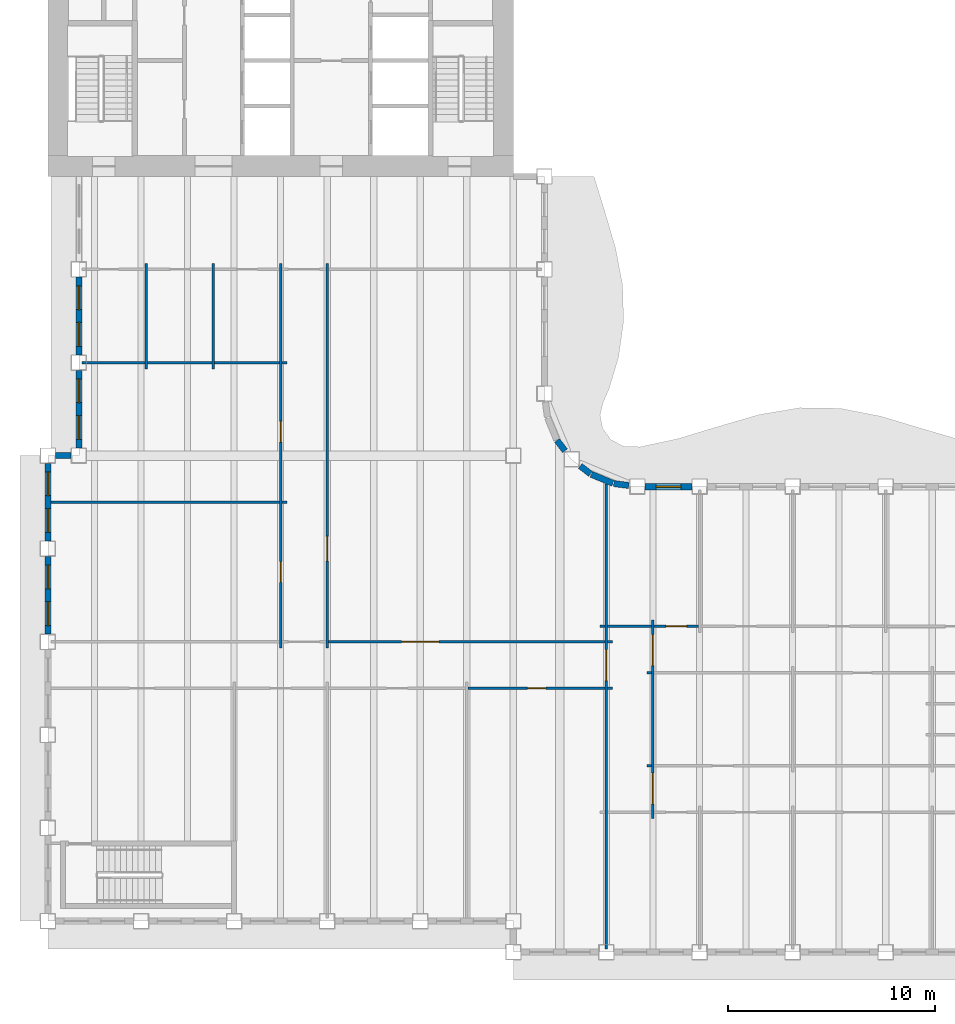
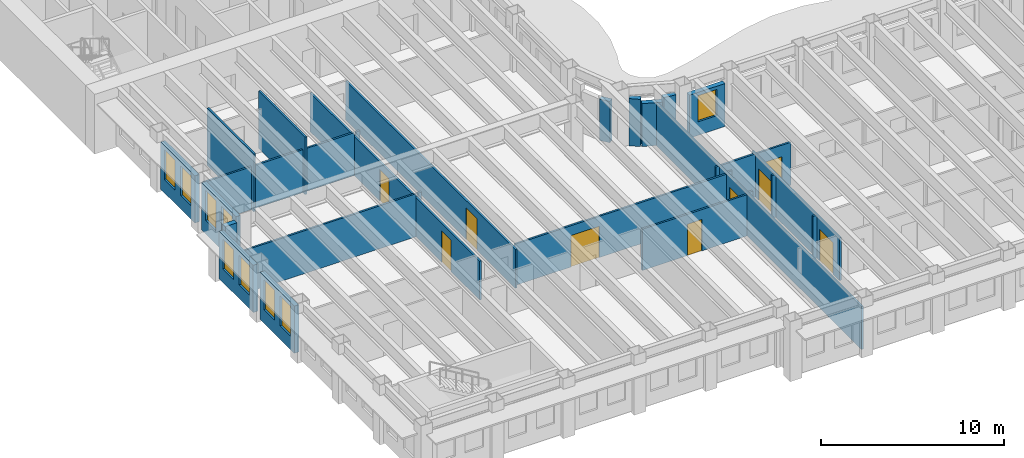
# One storey, part 4 of 16: 31 walls, 9 doors, 9 windows, 18 openings.
"""IFC4 building model written with IfcOpenShell, lengths in metres."""

from ifc_helpers import new_model, si_unit, direction, frame, frame_2d, origin, place, context, subcontext, project, spatial, rectangle, extrude, material, layer, layer_set, type_object, element, fill, save


model = new_model("IFC4")

# Units and contexts
model_context = context("Model", 3, precision=1e-05, world=origin(), true_north=direction((0.0, 1.0)))
body_context = subcontext(model_context, "Body", "Model", "MODEL_VIEW")
ifc_project = project(units=[si_unit("LENGTHUNIT", "METRE"), si_unit("AREAUNIT", "SQUARE_METRE"), si_unit("VOLUMEUNIT", "CUBIC_METRE"), si_unit("PLANEANGLEUNIT", "RADIAN"), si_unit("MASSUNIT", "GRAM", prefix="KILO")], contexts=[model_context])

# Site, building, storey
site_placement = place(None, origin())
site = spatial("IfcSite", under=ifc_project, at=site_placement, CompositionType="ELEMENT")
building_placement = place(site_placement, origin())
building = spatial("IfcBuilding", under=site, at=building_placement, Name="Sennacour Bend Tower", CompositionType="ELEMENT")
storey_placement = place(building_placement, frame((0.0, 0.0, 207.0)))
storey = spatial("IfcBuildingStorey", under=building, at=storey_placement, Name="L47", CompositionType="ELEMENT", Elevation=207.0)

# Walls
ifc_material_1 = material(Name="Plasterboard partition on steel studs", Category="steel")
ifc_layer_1 = layer(ifc_material_1, 0.1201171875, Name="Plasterboard partition on steel studs", Category="steel")
ifc_layer_set_1 = layer_set([ifc_layer_1], Name="Plasterboard partition on steel studs")
wall_type_1 = type_object("IfcWallType", Name="Partition 120", PredefinedType="PARTITIONING", material=ifc_layer_set_1)
for number, where, z_axis, x_axis, name in (
    (1, (4.75, 26.699951171875, 0.0), (0.0, 0.0, 1.0), (0.0, 1.0, 0.0), "P-L47-W007a"),
    (2, (8.0, 26.699951171875, 0.0), (0.0, 0.0, 1.0), (0.0, 1.0, 0.0), "P-L47-W009a"),
):
    element("IfcWall", number, at=place(storey_placement, frame(where, z_axis=z_axis, x_axis=x_axis)), inside=storey, type_object=wall_type_1, Name=name, PredefinedType="PARTITIONING", context=body_context, shape_type="SweptSolid", body=[
        extrude(rectangle(XDim=5.10009765625, YDim=0.1201171875, at=frame_2d((2.550048828125, 0.0))), origin(), (0.0, 0.0, 1.0), 3.85009765625),
    ])

# Wall, openings, doors
wall_1_placement = place(storey_placement, frame((11.25, 13.199951171875, 0.0), z_axis=(0.0, 0.0, 1.0), x_axis=(0.0, 1.0, 0.0)))
wall_1 = element("IfcWall", 3, at=wall_1_placement, inside=storey, type_object=wall_type_1, Name="P-L47-W015a", PredefinedType="PARTITIONING", context=body_context, shape_type="SweptSolid", body=[
    extrude(rectangle(XDim=18.60009765625, YDim=0.1201171875, at=frame_2d((9.300048828125, 0.0))), origin(), (0.0, 0.0, 1.0), 2.60009765625),
])
opening_1_placement = place(wall_1_placement, frame((3.175048828125, 0.0, 0.0)))
opening_1 = element("IfcOpeningElement", 4, at=opening_1_placement, cuts=wall_1, Name="Opening OD2", PredefinedType="OPENING", context=body_context, shape_type="SweptSolid", body=[
    extrude(rectangle(XDim=1.0, YDim=2.10009765625, at=frame_2d((0.5, 1.050048828125))), frame((0.0, 0.070068359375, 0.0), z_axis=(0.0, -1.0, 0.0), x_axis=(1.0, 0.0, 0.0)), (0.0, 0.0, 1.0), 0.14013671875),
])
opening_2_placement = place(wall_1_placement, frame((9.955078125, 0.0, 0.0)))
opening_2 = element("IfcOpeningElement", 5, at=opening_2_placement, cuts=wall_1, Name="Opening OD2", PredefinedType="OPENING", context=body_context, shape_type="SweptSolid", body=[
    extrude(rectangle(XDim=1.0, YDim=2.10009765625, at=frame_2d((0.5, 1.050048828125))), frame((0.0, 0.070068359375, 0.0), z_axis=(0.0, -1.0, 0.0), x_axis=(1.0, 0.0, 0.0)), (0.0, 0.0, 1.0), 0.14013671875),
])
ifc_material_2 = material(Name="Timber", Category="wood")
door_type_1 = type_object("IfcDoorType", Name="DR-OFFICE-1000", OperationType="NOTDEFINED", PredefinedType="DOOR", material=ifc_material_2)
door_1_placement = place(opening_1_placement, origin())
door_1 = element("IfcDoor", 6, at=door_1_placement, inside=storey, type_object=door_type_1, Name="Door", OperationType="SINGLE_SWING_LEFT", OverallHeight=2.10009765625, OverallWidth=1.0, PredefinedType="DOOR", context=body_context, shape_type="SweptSolid", body=[
    extrude(rectangle(XDim=1.0, YDim=2.10009765625, at=frame_2d((0.5, 1.050048828125))), frame((0.0, 0.02490234375, 0.0), z_axis=(0.0, -1.0, 0.0), x_axis=(1.0, 0.0, 0.0)), (0.0, 0.0, 1.0), 0.050048828125),
])
fill(opening_1, door_1)
door_2_placement = place(opening_2_placement, origin())
door_2 = element("IfcDoor", 7, at=door_2_placement, inside=storey, type_object=door_type_1, Name="Door", OperationType="SINGLE_SWING_RIGHT", OverallHeight=2.10009765625, OverallWidth=1.0, PredefinedType="DOOR", context=body_context, shape_type="SweptSolid", body=[
    extrude(rectangle(XDim=1.0, YDim=2.10009765625, at=frame_2d((0.5, 1.050048828125))), frame((0.0, 0.02490234375, 0.0), z_axis=(0.0, -1.0, 0.0), x_axis=(1.0, 0.0, 0.0)), (0.0, 0.0, 1.0), 0.050048828125),
])
fill(opening_2, door_2)

# Wall, opening, door
wall_2_placement = place(storey_placement, frame((13.5, 13.199951171875, 0.0), z_axis=(0.0, 0.0, 1.0), x_axis=(0.0, 1.0, 0.0)))
wall_2 = element("IfcWall", 8, at=wall_2_placement, inside=storey, type_object=wall_type_1, Name="P-L47-W019a", PredefinedType="PARTITIONING", context=body_context, shape_type="SweptSolid", body=[
    extrude(rectangle(XDim=18.60009765625, YDim=0.1201171875, at=frame_2d((9.300048828125, 0.0))), origin(), (0.0, 0.0, 1.0), 2.60009765625),
])
opening_3_placement = place(wall_2_placement, frame((4.199951171875, 0.0, 0.0)))
opening_3 = element("IfcOpeningElement", 9, at=opening_3_placement, cuts=wall_2, Name="Opening OD", PredefinedType="OPENING", context=body_context, shape_type="SweptSolid", body=[
    extrude(rectangle(XDim=1.199951171875, YDim=2.10009765625, at=frame_2d((0.60009765625, 1.050048828125))), frame((0.0, 0.070068359375, 0.0), z_axis=(0.0, -1.0, 0.0), x_axis=(1.0, 0.0, 0.0)), (0.0, 0.0, 1.0), 0.14013671875),
])
door_type_2 = type_object("IfcDoorType", Name="DR-OFFICE-1200", OperationType="NOTDEFINED", PredefinedType="DOOR", material=ifc_material_2)
door_3_placement = place(opening_3_placement, origin())
door_3 = element("IfcDoor", 10, at=door_3_placement, inside=storey, type_object=door_type_2, Name="Door", OperationType="SINGLE_SWING_LEFT", OverallHeight=2.10009765625, OverallWidth=1.199951171875, PredefinedType="DOOR", context=body_context, shape_type="SweptSolid", body=[
    extrude(rectangle(XDim=1.199951171875, YDim=2.10009765625, at=frame_2d((0.60009765625, 1.050048828125))), frame((0.0, 0.02490234375, 0.0), z_axis=(0.0, -1.0, 0.0), x_axis=(1.0, 0.0, 0.0)), (0.0, 0.0, 1.0), 0.050048828125),
])
fill(opening_3, door_3)

# Walls
for number, where, z_axis, x_axis, name in (
    (11, (28.949951171875, 7.5, 0.0), (0.0, 0.0, 1.0), (1.0, 0.0, 0.0), "P-L47-W061aa"),
    (12, (27.06005859375, 11.25, 0.0), (0.0, 0.0, 1.0), (1.0, 0.0, 0.0), "P-L47-W066ae"),
    (13, (28.949951171875, 12.0, 0.0), (0.0, 0.0, 1.0), (1.0, 0.0, 0.0), "P-L47-W069aa"),
):
    element("IfcWall", number, at=place(storey_placement, frame(where, z_axis=z_axis, x_axis=x_axis)), inside=storey, type_object=wall_type_1, Name=name, PredefinedType="PARTITIONING", context=body_context, shape_type="SweptSolid", body=[
        extrude(rectangle(XDim=0.239990234375, YDim=0.1201171875, at=frame_2d((0.1201171875, 0.0))), origin(), (0.0, 0.0, 1.0), 2.8701171875),
    ])

# Wall, opening, door
wall_3_placement = place(storey_placement, frame((13.56005859375, 13.5, 0.0), z_axis=(0.0, 0.0, 1.0), x_axis=(1.0, 0.0, 0.0)))
wall_3 = element("IfcWall", 14, at=wall_3_placement, inside=storey, type_object=wall_type_1, Name="P-L47-W070ac", PredefinedType="PARTITIONING", context=body_context, shape_type="SweptSolid", body=[
    extrude(rectangle(XDim=13.3798828125, YDim=0.1201171875, at=frame_2d((6.68994140625, 0.0))), origin(), (0.0, 0.0, 1.0), 2.760009765625),
])
opening_4_placement = place(wall_3_placement, frame((3.539794921875, 0.0, 0.0)))
opening_4 = element("IfcOpeningElement", 15, at=opening_4_placement, cuts=wall_3, Name="Opening OD3", PredefinedType="OPENING", context=body_context, shape_type="SweptSolid", body=[
    extrude(rectangle(XDim=1.800048828125, YDim=2.10009765625, at=frame_2d((0.89990234375, 1.050048828125))), frame((0.0, 0.070068359375, 0.0), z_axis=(0.0, -1.0, 0.0), x_axis=(1.0, 0.0, 0.0)), (0.0, 0.0, 1.0), 0.14013671875),
])
door_type_3 = type_object("IfcDoorType", Name="DR-OFFICE-1800", OperationType="NOTDEFINED", PredefinedType="DOOR", material=ifc_material_2)
door_4_placement = place(opening_4_placement, origin())
door_4 = element("IfcDoor", 16, at=door_4_placement, inside=storey, type_object=door_type_3, Name="Door", OperationType="DOUBLE_DOOR_SINGLE_SWING", OverallHeight=2.10009765625, OverallWidth=1.800048828125, PredefinedType="DOOR", context=body_context, shape_type="SweptSolid", body=[
    extrude(rectangle(XDim=1.800048828125, YDim=2.10009765625, at=frame_2d((0.89990234375, 1.050048828125))), frame((0.0, 0.02490234375, 0.0), z_axis=(0.0, -1.0, 0.0), x_axis=(1.0, 0.0, 0.0)), (0.0, 0.0, 1.0), 0.050048828125),
])
fill(opening_4, door_4)

# Walls
for number, where, z_axis, x_axis, name in (
    (17, (27.06005859375, 13.5, 0.0), (0.0, 0.0, 1.0), (1.0, 0.0, 0.0), "P-L47-W070ad"),
    (18, (26.699951171875, 14.25, 0.0), (0.0, 0.0, 1.0), (1.0, 0.0, 0.0), "P-L47-W071aa"),
):
    element("IfcWall", number, at=place(storey_placement, frame(where, z_axis=z_axis, x_axis=x_axis)), inside=storey, type_object=wall_type_1, Name=name, PredefinedType="PARTITIONING", context=body_context, shape_type="SweptSolid", body=[
        extrude(rectangle(XDim=0.239990234375, YDim=0.1201171875, at=frame_2d((0.1201171875, 0.0))), origin(), (0.0, 0.0, 1.0), 2.8701171875),
    ])
wall_4_placement = place(storey_placement, frame((27.06005859375, 14.25, 0.0), z_axis=(0.0, 0.0, 1.0), x_axis=(1.0, 0.0, 0.0)))
element("IfcWall", 19, at=wall_4_placement, inside=storey, type_object=wall_type_1, Name="P-L47-W071ab", PredefinedType="PARTITIONING", context=body_context, shape_type="SweptSolid", body=[
    extrude(rectangle(XDim=2.1298828125, YDim=0.1201171875, at=frame_2d((1.06494140625, 0.0))), origin(), (0.0, 0.0, 1.0), 2.8701171875),
])

# Wall, opening, door
wall_5_placement = place(storey_placement, frame((29.31005859375, 14.25, 0.0), z_axis=(0.0, 0.0, 1.0), x_axis=(1.0, 0.0, 0.0)))
wall_5 = element("IfcWall", 20, at=wall_5_placement, inside=storey, type_object=wall_type_1, Name="P-L47-W071ac", PredefinedType="PARTITIONING", context=body_context, shape_type="SweptSolid", body=[
    extrude(rectangle(XDim=2.1298828125, YDim=0.1201171875, at=frame_2d((1.06494140625, 0.0))), origin(), (0.0, 0.0, 1.0), 2.8701171875),
])
opening_5_placement = place(wall_5_placement, frame((0.56494140625, 0.0, 0.0)))
opening_5 = element("IfcOpeningElement", 21, at=opening_5_placement, cuts=wall_5, Name="Opening OD2", PredefinedType="OPENING", context=body_context, shape_type="SweptSolid", body=[
    extrude(rectangle(XDim=1.0, YDim=2.10009765625, at=frame_2d((0.5, 1.050048828125))), frame((0.0, 0.070068359375, 0.0), z_axis=(0.0, -1.0, 0.0), x_axis=(1.0, 0.0, 0.0)), (0.0, 0.0, 1.0), 0.14013671875),
])
door_5_placement = place(opening_5_placement, origin())
door_5 = element("IfcDoor", 22, at=door_5_placement, inside=storey, type_object=door_type_1, Name="Door", OperationType="SINGLE_SWING_LEFT", OverallHeight=2.10009765625, OverallWidth=1.0, PredefinedType="DOOR", context=body_context, shape_type="SweptSolid", body=[
    extrude(rectangle(XDim=1.0, YDim=2.10009765625, at=frame_2d((0.5, 1.050048828125))), frame((0.0, 0.02490234375, 0.0), z_axis=(0.0, -1.0, 0.0), x_axis=(1.0, 0.0, 0.0)), (0.0, 0.0, 1.0), 0.050048828125),
])
fill(opening_5, door_5)

# Walls
wall_6_placement = place(storey_placement, frame((0.14990234375, 20.25, 0.0), z_axis=(0.0, 0.0, 1.0), x_axis=(1.0, 0.0, 0.0)))
element("IfcWall", 23, at=wall_6_placement, inside=storey, type_object=wall_type_1, Name="P-L47-W077aa", PredefinedType="PARTITIONING", context=body_context, shape_type="SweptSolid", body=[
    extrude(rectangle(XDim=11.0400390625, YDim=0.1201171875, at=frame_2d((5.52001953125, 0.0))), origin(), (0.0, 0.0, 1.0), 2.8701171875),
])
wall_7_placement = place(storey_placement, frame((11.31005859375, 20.25, 0.0), z_axis=(0.0, 0.0, 1.0), x_axis=(1.0, 0.0, 0.0)))
element("IfcWall", 24, at=wall_7_placement, inside=storey, type_object=wall_type_1, Name="P-L47-W077ab", PredefinedType="PARTITIONING", context=body_context, shape_type="SweptSolid", body=[
    extrude(rectangle(XDim=0.239990234375, YDim=0.1201171875, at=frame_2d((0.1201171875, 0.0))), origin(), (0.0, 0.0, 1.0), 2.8701171875),
])
wall_8_placement = place(storey_placement, frame((1.64990234375, 27.0, 0.0), z_axis=(0.0, 0.0, 1.0), x_axis=(1.0, 0.0, 0.0)))
element("IfcWall", 25, at=wall_8_placement, inside=storey, type_object=wall_type_1, Name="P-L47-W080aa", PredefinedType="PARTITIONING", context=body_context, shape_type="SweptSolid", body=[
    extrude(rectangle(XDim=3.0400390625, YDim=0.1201171875, at=frame_2d((1.52001953125, 0.0))), origin(), (0.0, 0.0, 1.0), 2.8701171875),
])
for number, where, z_axis, x_axis, name in (
    (26, (4.81005859375, 27.0, 0.0), (0.0, 0.0, 1.0), (1.0, 0.0, 0.0), "P-L47-W080ab"),
    (27, (8.06005859375, 27.0, 0.0), (0.0, 0.0, 1.0), (1.0, 0.0, 0.0), "P-L47-W080ac"),
):
    element("IfcWall", number, at=place(storey_placement, frame(where, z_axis=z_axis, x_axis=x_axis)), inside=storey, type_object=wall_type_1, Name=name, PredefinedType="PARTITIONING", context=body_context, shape_type="SweptSolid", body=[
        extrude(rectangle(XDim=3.1298828125, YDim=0.1201171875, at=frame_2d((1.56494140625, 0.0))), origin(), (0.0, 0.0, 1.0), 2.8701171875),
    ])
wall_9_placement = place(storey_placement, frame((11.31005859375, 27.0, 0.0), z_axis=(0.0, 0.0, 1.0), x_axis=(1.0, 0.0, 0.0)))
element("IfcWall", 28, at=wall_9_placement, inside=storey, type_object=wall_type_1, Name="P-L47-W080ad", PredefinedType="PARTITIONING", context=body_context, shape_type="SweptSolid", body=[
    extrude(rectangle(XDim=0.239990234375, YDim=0.1201171875, at=frame_2d((0.1201171875, 0.0))), origin(), (0.0, 0.0, 1.0), 2.8701171875),
])

# Wall, opening, door
ifc_layer_2 = layer(ifc_material_1, 0.1201171875, Name="Plasterboard partition on steel studs", Category="steel")
ifc_layer_set_2 = layer_set([ifc_layer_2], Name="Plasterboard partition on steel studs")
wall_type_2 = type_object("IfcWallType", Name="Partition 120 EI 30", PredefinedType="PARTITIONING", material=ifc_layer_set_2)
wall_10_placement = place(storey_placement, frame((27.0, -1.35009765625, 0.0), z_axis=(0.0, 0.0, 1.0), x_axis=(0.0, 1.0, 0.0)))
wall_10 = element("IfcWall", 29, at=wall_10_placement, inside=storey, type_object=wall_type_2, Name="P-L47-W027a", PredefinedType="PARTITIONING", context=body_context, shape_type="SweptSolid", body=[
    extrude(rectangle(XDim=22.47998046875, YDim=0.1201171875, at=frame_2d((11.239990234375, 0.0))), origin(), (0.0, 0.0, 1.0), 2.8701171875),
])
opening_6_placement = place(wall_10_placement, frame((12.97509765625, 0.0, 0.0)))
opening_6 = element("IfcOpeningElement", 30, at=opening_6_placement, cuts=wall_10, Name="Opening KD", PredefinedType="OPENING", context=body_context, shape_type="SweptSolid", body=[
    extrude(rectangle(XDim=1.5, YDim=2.10009765625, at=frame_2d((0.75, 1.050048828125))), frame((0.0, 0.070068359375, 0.0), z_axis=(0.0, -1.0, 0.0), x_axis=(1.0, 0.0, 0.0)), (0.0, 0.0, 1.0), 0.14013671875),
])
ifc_material_3 = material(Name="Painted steel", Category="steel")
door_type_4 = type_object("IfcDoorType", Name="DR-CORRIDOR-1500", OperationType="NOTDEFINED", PredefinedType="DOOR", material=ifc_material_3)
door_6_placement = place(opening_6_placement, origin())
door_6 = element("IfcDoor", 31, at=door_6_placement, inside=storey, type_object=door_type_4, Name="Door", OperationType="SINGLE_SWING_RIGHT", OverallHeight=2.10009765625, OverallWidth=1.5, PredefinedType="DOOR", context=body_context, shape_type="SweptSolid", body=[
    extrude(rectangle(XDim=1.5, YDim=2.10009765625, at=frame_2d((0.75, 1.050048828125))), frame((0.0, 0.02490234375, 0.0), z_axis=(0.0, -1.0, 0.0), x_axis=(1.0, 0.0, 0.0)), (0.0, 0.0, 1.0), 0.050048828125),
])
fill(opening_6, door_6)

# Wall, openings, doors
wall_11_placement = place(storey_placement, frame((29.25, 4.949951171875, 0.0), z_axis=(0.0, 0.0, 1.0), x_axis=(0.0, 1.0, 0.0)))
wall_11 = element("IfcWall", 32, at=wall_11_placement, inside=storey, type_object=wall_type_2, Name="P-L47-W028a", PredefinedType="PARTITIONING", context=body_context, shape_type="SweptSolid", body=[
    extrude(rectangle(XDim=9.60009765625, YDim=0.1201171875, at=frame_2d((4.800048828125, 0.0))), origin(), (0.0, 0.0, 1.0), 2.8701171875),
])
opening_7_placement = place(wall_11_placement, frame((0.705078125, 0.0, 0.0)))
opening_7 = element("IfcOpeningElement", 33, at=opening_7_placement, cuts=wall_11, Name="Opening KD", PredefinedType="OPENING", context=body_context, shape_type="SweptSolid", body=[
    extrude(rectangle(XDim=1.5, YDim=2.10009765625, at=frame_2d((0.75, 1.050048828125))), frame((0.0, 0.070068359375, 0.0), z_axis=(0.0, -1.0, 0.0), x_axis=(1.0, 0.0, 0.0)), (0.0, 0.0, 1.0), 0.14013671875),
])
opening_8_placement = place(wall_11_placement, frame((7.39501953125, 0.0, 0.0)))
opening_8 = element("IfcOpeningElement", 34, at=opening_8_placement, cuts=wall_11, Name="Opening KD", PredefinedType="OPENING", context=body_context, shape_type="SweptSolid", body=[
    extrude(rectangle(XDim=1.5, YDim=2.10009765625, at=frame_2d((0.75, 1.050048828125))), frame((0.0, 0.070068359375, 0.0), z_axis=(0.0, -1.0, 0.0), x_axis=(1.0, 0.0, 0.0)), (0.0, 0.0, 1.0), 0.14013671875),
])
door_7_placement = place(opening_7_placement, origin())
door_7 = element("IfcDoor", 35, at=door_7_placement, inside=storey, type_object=door_type_4, Name="Door", OperationType="SINGLE_SWING_LEFT", OverallHeight=2.10009765625, OverallWidth=1.5, PredefinedType="DOOR", context=body_context, shape_type="SweptSolid", body=[
    extrude(rectangle(XDim=1.5, YDim=2.10009765625, at=frame_2d((0.75, 1.050048828125))), frame((0.0, 0.02490234375, 0.0), z_axis=(0.0, -1.0, 0.0), x_axis=(1.0, 0.0, 0.0)), (0.0, 0.0, 1.0), 0.050048828125),
])
fill(opening_7, door_7)
door_8_placement = place(opening_8_placement, origin())
door_8 = element("IfcDoor", 36, at=door_8_placement, inside=storey, type_object=door_type_4, Name="Door", OperationType="SINGLE_SWING_RIGHT", OverallHeight=2.10009765625, OverallWidth=1.5, PredefinedType="DOOR", context=body_context, shape_type="SweptSolid", body=[
    extrude(rectangle(XDim=1.5, YDim=2.10009765625, at=frame_2d((0.75, 1.050048828125))), frame((0.0, 0.02490234375, 0.0), z_axis=(0.0, -1.0, 0.0), x_axis=(1.0, 0.0, 0.0)), (0.0, 0.0, 1.0), 0.050048828125),
])
fill(opening_8, door_8)

# Wall, opening, door
ifc_layer_3 = layer(ifc_material_1, 0.1201171875, Name="Plasterboard partition on steel studs", Category="steel")
ifc_layer_set_3 = layer_set([ifc_layer_3], Name="Plasterboard partition on steel studs")
wall_type_3 = type_object("IfcWallType", Name="Partition 120 EI 60", PredefinedType="PARTITIONING", material=ifc_layer_set_3)
wall_12_placement = place(storey_placement, frame((20.31005859375, 11.25, 0.0), z_axis=(0.0, 0.0, 1.0), x_axis=(1.0, 0.0, 0.0)))
wall_12 = element("IfcWall", 37, at=wall_12_placement, inside=storey, type_object=wall_type_3, Name="P-L47-W066ad", PredefinedType="PARTITIONING", context=body_context, shape_type="SweptSolid", body=[
    extrude(rectangle(XDim=6.6298828125, YDim=0.1201171875, at=frame_2d((3.31494140625, 0.0))), origin(), (0.0, 0.0, 1.0), 2.760009765625),
])
opening_9_placement = place(wall_12_placement, frame((2.864990234375, 0.0, 0.0)))
opening_9 = element("IfcOpeningElement", 38, at=opening_9_placement, cuts=wall_12, Name="Opening SV", PredefinedType="OPENING", context=body_context, shape_type="SweptSolid", body=[
    extrude(rectangle(XDim=0.89990234375, YDim=2.10009765625, at=frame_2d((0.449951171875, 1.050048828125))), frame((0.0, 0.070068359375, 0.0), z_axis=(0.0, -1.0, 0.0), x_axis=(1.0, 0.0, 0.0)), (0.0, 0.0, 1.0), 0.14013671875),
])
door_type_5 = type_object("IfcDoorType", Name="DR-SERVICE-900", OperationType="NOTDEFINED", PredefinedType="DOOR", material=ifc_material_3)
door_9_placement = place(opening_9_placement, origin())
door_9 = element("IfcDoor", 39, at=door_9_placement, inside=storey, type_object=door_type_5, Name="Door", OperationType="SINGLE_SWING_LEFT", OverallHeight=2.10009765625, OverallWidth=0.89990234375, PredefinedType="DOOR", context=body_context, shape_type="SweptSolid", body=[
    extrude(rectangle(XDim=0.89990234375, YDim=2.10009765625, at=frame_2d((0.449951171875, 1.050048828125))), frame((0.0, 0.02490234375, 0.0), z_axis=(0.0, -1.0, 0.0), x_axis=(1.0, 0.0, 0.0)), (0.0, 0.0, 1.0), 0.050048828125),
])
fill(opening_9, door_9)

# Wall, opening, window
ifc_material_4 = material(Name="Warm limestone cladding", Category="masonry")
ifc_layer_4 = layer(ifc_material_4, 0.050048828125, Name="Warm limestone cladding", Category="masonry")
ifc_material_5 = material(Name="Precast concrete C40/50", Category="concrete")
ifc_layer_5 = layer(ifc_material_5, 0.25, Name="Precast concrete C40/50", Category="concrete")
ifc_layer_set_4 = layer_set([ifc_layer_4, ifc_layer_5], Name="Precast concrete C40/50 with limestone cladding")
wall_type_4 = type_object("IfcWallType", Name="STONE-CLAD PRECAST SPANDREL 300", PredefinedType="STANDARD", material=ifc_layer_set_4)
wall_13_placement = place(storey_placement, frame((31.125, 21.0, 0.0), z_axis=(0.0, 0.0, 1.0), x_axis=(-1.0, 0.0, 0.0)))
wall_13 = element("IfcWall", 40, at=wall_13_placement, inside=storey, type_object=wall_type_4, Name="Stone spandrel and pier wall L47 06.05", PredefinedType="STANDARD", context=body_context, shape_type="SweptSolid", body=[
    extrude(rectangle(XDim=2.25, YDim=0.300048828125, at=frame_2d((1.125, 0.0))), origin(), (0.0, 0.0, 1.0), 2.8701171875),
])
opening_10_placement = place(wall_13_placement, frame((0.52490234375, 0.0, 0.89990234375)))
opening_10 = element("IfcOpeningElement", 41, at=opening_10_placement, cuts=wall_13, Name="Opening W16", PredefinedType="OPENING", context=body_context, shape_type="SweptSolid", body=[
    extrude(rectangle(XDim=1.199951171875, YDim=1.75, at=frame_2d((0.60009765625, 0.875))), frame((0.0, 0.16015625, 0.0), z_axis=(0.0, -1.0, 0.0), x_axis=(1.0, 0.0, 0.0)), (0.0, 0.0, 1.0), 0.320068359375),
])
ifc_material_6 = material(Name="Clear low-emissivity glass", Category="glass")
window_type_1 = type_object("IfcWindowType", Name="WIN-RIBBON-1200x1750", PartitioningType="SINGLE_PANEL", PredefinedType="WINDOW", material=ifc_material_6)
window_1_placement = place(opening_10_placement, origin())
window_1 = element("IfcWindow", 42, at=window_1_placement, inside=storey, type_object=window_type_1, Name="Ribbon window L47 06.05", OverallHeight=1.75, OverallWidth=1.199951171875, PartitioningType="SINGLE_PANEL", PredefinedType="WINDOW", context=body_context, shape_type="SweptSolid", body=[
    extrude(rectangle(XDim=1.199951171875, YDim=1.75, at=frame_2d((0.60009765625, 0.875))), frame((0.0, 0.030029296875, 0.0), z_axis=(0.0, -1.0, 0.0), x_axis=(1.0, 0.0, 0.0)), (0.0, 0.0, 1.0), 0.06005859375),
])
fill(opening_10, window_1)

# Walls
wall_14_placement = place(storey_placement, frame((28.0830078125, 21.054931640625, 0.0), z_axis=(0.0, 0.0, 1.0), x_axis=(-0.99142711513, 0.130660917588, 0.0)))
element("IfcWall", 43, at=wall_14_placement, inside=storey, type_object=wall_type_4, Name="Stone spandrel and pier wall L47 07.00", PredefinedType="STANDARD", context=body_context, shape_type="SweptSolid", body=[
    extrude(rectangle(XDim=0.734375, YDim=0.300048828125, at=frame_2d((0.3671875, 0.0))), origin(), (0.0, 0.0, 1.0), 3.156982421875),
])
wall_15_placement = place(storey_placement, frame((27.317138671875, 21.160888671875, 0.0), z_axis=(0.0, 0.0, 1.0), x_axis=(-0.923914616768, 0.382598720491, 0.0)))
element("IfcWall", 44, at=wall_15_placement, inside=storey, type_object=wall_type_4, Name="Stone spandrel and pier wall L47 08.00", PredefinedType="STANDARD", context=body_context, shape_type="SweptSolid", body=[
    extrude(rectangle(XDim=1.13525390625, YDim=0.300048828125, at=frame_2d((0.567626953125, 0.0))), origin(), (0.0, 0.0, 1.0), 2.8701171875),
])
wall_16_placement = place(storey_placement, frame((26.234375, 21.614990234375, 0.0), z_axis=(0.0, 0.0, 1.0), x_axis=(-0.793575131083, 0.608472276547, 0.0)))
element("IfcWall", 45, at=wall_16_placement, inside=storey, type_object=wall_type_4, Name="Stone spandrel and pier wall L47 09.00", PredefinedType="STANDARD", context=body_context, shape_type="SweptSolid", body=[
    extrude(rectangle(XDim=0.629150390625, YDim=0.300048828125, at=frame_2d((0.314453125, 0.0))), origin(), (0.0, 0.0, 1.0), 3.156982421875),
])
wall_17_placement = place(storey_placement, frame((24.997802734375, 22.735107421875, 0.0), z_axis=(0.0, 0.0, 1.0), x_axis=(-0.608472276547, 0.793575131083, 0.0)))
element("IfcWall", 46, at=wall_17_placement, inside=storey, type_object=wall_type_4, Name="Stone spandrel and pier wall L47 10.00", PredefinedType="STANDARD", context=body_context, shape_type="SweptSolid", body=[
    extrude(rectangle(XDim=0.629150390625, YDim=0.300048828125, at=frame_2d((0.314453125, 0.0))), origin(), (0.0, 0.0, 1.0), 2.760009765625),
])

# Wall, openings, windows
wall_18_placement = place(storey_placement, frame((1.5, 31.125, 0.0), z_axis=(0.0, 0.0, 1.0), x_axis=(0.0, -1.0, 0.0)))
wall_18 = element("IfcWall", 47, at=wall_18_placement, inside=storey, type_object=wall_type_4, Name="Stone spandrel and pier wall L47 19.01", PredefinedType="STANDARD", context=body_context, shape_type="SweptSolid", body=[
    extrude(rectangle(XDim=3.75, YDim=0.300048828125, at=frame_2d((1.875, 0.0))), origin(), (0.0, 0.0, 1.0), 3.156982421875),
])
opening_11_placement = place(wall_18_placement, frame((0.41259765625, 0.0, 0.89990234375)))
opening_11 = element("IfcOpeningElement", 48, at=opening_11_placement, cuts=wall_18, Name="Opening W24", PredefinedType="OPENING", context=body_context, shape_type="SweptSolid", body=[
    extrude(rectangle(XDim=1.14990234375, YDim=2.0, at=frame_2d((0.574951171875, 1.0))), frame((0.0, 0.16015625, 0.0), z_axis=(0.0, -1.0, 0.0), x_axis=(1.0, 0.0, 0.0)), (0.0, 0.0, 1.0), 0.320068359375),
])
opening_12_placement = place(wall_18_placement, frame((2.1875, 0.0, 0.89990234375)))
opening_12 = element("IfcOpeningElement", 49, at=opening_12_placement, cuts=wall_18, Name="Opening W24", PredefinedType="OPENING", context=body_context, shape_type="SweptSolid", body=[
    extrude(rectangle(XDim=1.14990234375, YDim=2.0, at=frame_2d((0.574951171875, 1.0))), frame((0.0, 0.16015625, 0.0), z_axis=(0.0, -1.0, 0.0), x_axis=(1.0, 0.0, 0.0)), (0.0, 0.0, 1.0), 0.320068359375),
])
window_type_2 = type_object("IfcWindowType", Name="WIN-RIBBON-1150x2000", PartitioningType="SINGLE_PANEL", PredefinedType="WINDOW", material=ifc_material_6)
window_2_placement = place(opening_11_placement, origin())
window_2 = element("IfcWindow", 50, at=window_2_placement, inside=storey, type_object=window_type_2, Name="Ribbon window L47 19.01.0", OverallHeight=2.0, OverallWidth=1.14990234375, PartitioningType="SINGLE_PANEL", PredefinedType="WINDOW", context=body_context, shape_type="SweptSolid", body=[
    extrude(rectangle(XDim=1.14990234375, YDim=2.0, at=frame_2d((0.574951171875, 1.0))), frame((0.0, 0.030029296875, 0.0), z_axis=(0.0, -1.0, 0.0), x_axis=(1.0, 0.0, 0.0)), (0.0, 0.0, 1.0), 0.06005859375),
])
fill(opening_11, window_2)
window_3_placement = place(opening_12_placement, origin())
window_3 = element("IfcWindow", 51, at=window_3_placement, inside=storey, type_object=window_type_2, Name="Ribbon window L47 19.01.1", OverallHeight=2.0, OverallWidth=1.14990234375, PartitioningType="SINGLE_PANEL", PredefinedType="WINDOW", context=body_context, shape_type="SweptSolid", body=[
    extrude(rectangle(XDim=1.14990234375, YDim=2.0, at=frame_2d((0.574951171875, 1.0))), frame((0.0, 0.030029296875, 0.0), z_axis=(0.0, -1.0, 0.0), x_axis=(1.0, 0.0, 0.0)), (0.0, 0.0, 1.0), 0.06005859375),
])
fill(opening_12, window_3)

wall_19_placement = place(storey_placement, frame((1.5, 26.625, 0.0), z_axis=(0.0, 0.0, 1.0), x_axis=(0.0, -1.0, 0.0)))
wall_19 = element("IfcWall", 52, at=wall_19_placement, inside=storey, type_object=wall_type_4, Name="Stone spandrel and pier wall L47 19.02", PredefinedType="STANDARD", context=body_context, shape_type="SweptSolid", body=[
    extrude(rectangle(XDim=3.75, YDim=0.300048828125, at=frame_2d((1.875, 0.0))), origin(), (0.0, 0.0, 1.0), 3.156982421875),
])
opening_13_placement = place(wall_19_placement, frame((0.41259765625, 0.0, 0.89990234375)))
opening_13 = element("IfcOpeningElement", 53, at=opening_13_placement, cuts=wall_19, Name="Opening W24", PredefinedType="OPENING", context=body_context, shape_type="SweptSolid", body=[
    extrude(rectangle(XDim=1.14990234375, YDim=2.0, at=frame_2d((0.574951171875, 1.0))), frame((0.0, 0.16015625, 0.0), z_axis=(0.0, -1.0, 0.0), x_axis=(1.0, 0.0, 0.0)), (0.0, 0.0, 1.0), 0.320068359375),
])
opening_14_placement = place(wall_19_placement, frame((2.1875, 0.0, 0.89990234375)))
opening_14 = element("IfcOpeningElement", 54, at=opening_14_placement, cuts=wall_19, Name="Opening W24", PredefinedType="OPENING", context=body_context, shape_type="SweptSolid", body=[
    extrude(rectangle(XDim=1.14990234375, YDim=2.0, at=frame_2d((0.574951171875, 1.0))), frame((0.0, 0.16015625, 0.0), z_axis=(0.0, -1.0, 0.0), x_axis=(1.0, 0.0, 0.0)), (0.0, 0.0, 1.0), 0.320068359375),
])
window_4_placement = place(opening_13_placement, origin())
window_4 = element("IfcWindow", 55, at=window_4_placement, inside=storey, type_object=window_type_2, Name="Ribbon window L47 19.02.0", OverallHeight=2.0, OverallWidth=1.14990234375, PartitioningType="SINGLE_PANEL", PredefinedType="WINDOW", context=body_context, shape_type="SweptSolid", body=[
    extrude(rectangle(XDim=1.14990234375, YDim=2.0, at=frame_2d((0.574951171875, 1.0))), frame((0.0, 0.030029296875, 0.0), z_axis=(0.0, -1.0, 0.0), x_axis=(1.0, 0.0, 0.0)), (0.0, 0.0, 1.0), 0.06005859375),
])
fill(opening_13, window_4)
window_5_placement = place(opening_14_placement, origin())
window_5 = element("IfcWindow", 56, at=window_5_placement, inside=storey, type_object=window_type_2, Name="Ribbon window L47 19.02.1", OverallHeight=2.0, OverallWidth=1.14990234375, PartitioningType="SINGLE_PANEL", PredefinedType="WINDOW", context=body_context, shape_type="SweptSolid", body=[
    extrude(rectangle(XDim=1.14990234375, YDim=2.0, at=frame_2d((0.574951171875, 1.0))), frame((0.0, 0.030029296875, 0.0), z_axis=(0.0, -1.0, 0.0), x_axis=(1.0, 0.0, 0.0)), (0.0, 0.0, 1.0), 0.06005859375),
])
fill(opening_14, window_5)

# Wall
wall_20_placement = place(storey_placement, frame((1.125, 22.5, 0.0), z_axis=(0.0, 0.0, 1.0), x_axis=(-1.0, 0.0, 0.0)))
element("IfcWall", 57, at=wall_20_placement, inside=storey, type_object=wall_type_4, Name="Stone spandrel and pier wall L47 20.00", PredefinedType="STANDARD", context=body_context, shape_type="SweptSolid", body=[
    extrude(rectangle(XDim=0.75, YDim=0.300048828125, at=frame_2d((0.375, 0.0))), origin(), (0.0, 0.0, 1.0), 3.156982421875),
])

# Wall, openings, windows
wall_21_placement = place(storey_placement, frame((0.0, 22.125, 0.0), z_axis=(0.0, 0.0, 1.0), x_axis=(0.0, -1.0, 0.0)))
wall_21 = element("IfcWall", 58, at=wall_21_placement, inside=storey, type_object=wall_type_4, Name="Stone spandrel and pier wall L47 21.00", PredefinedType="STANDARD", context=body_context, shape_type="SweptSolid", body=[
    extrude(rectangle(XDim=3.75, YDim=0.300048828125, at=frame_2d((1.875, 0.0))), origin(), (0.0, 0.0, 1.0), 3.156982421875),
])
opening_15_placement = place(wall_21_placement, frame((0.41259765625, 0.0, 0.89990234375)))
opening_15 = element("IfcOpeningElement", 59, at=opening_15_placement, cuts=wall_21, Name="Opening W24", PredefinedType="OPENING", context=body_context, shape_type="SweptSolid", body=[
    extrude(rectangle(XDim=1.14990234375, YDim=2.0, at=frame_2d((0.574951171875, 1.0))), frame((0.0, 0.16015625, 0.0), z_axis=(0.0, -1.0, 0.0), x_axis=(1.0, 0.0, 0.0)), (0.0, 0.0, 1.0), 0.320068359375),
])
opening_16_placement = place(wall_21_placement, frame((2.1875, 0.0, 0.89990234375)))
opening_16 = element("IfcOpeningElement", 60, at=opening_16_placement, cuts=wall_21, Name="Opening W24", PredefinedType="OPENING", context=body_context, shape_type="SweptSolid", body=[
    extrude(rectangle(XDim=1.14990234375, YDim=2.0, at=frame_2d((0.574951171875, 1.0))), frame((0.0, 0.16015625, 0.0), z_axis=(0.0, -1.0, 0.0), x_axis=(1.0, 0.0, 0.0)), (0.0, 0.0, 1.0), 0.320068359375),
])
window_6_placement = place(opening_15_placement, origin())
window_6 = element("IfcWindow", 61, at=window_6_placement, inside=storey, type_object=window_type_2, Name="Ribbon window L47 21.00.0", OverallHeight=2.0, OverallWidth=1.14990234375, PartitioningType="SINGLE_PANEL", PredefinedType="WINDOW", context=body_context, shape_type="SweptSolid", body=[
    extrude(rectangle(XDim=1.14990234375, YDim=2.0, at=frame_2d((0.574951171875, 1.0))), frame((0.0, 0.030029296875, 0.0), z_axis=(0.0, -1.0, 0.0), x_axis=(1.0, 0.0, 0.0)), (0.0, 0.0, 1.0), 0.06005859375),
])
fill(opening_15, window_6)
window_7_placement = place(opening_16_placement, origin())
window_7 = element("IfcWindow", 62, at=window_7_placement, inside=storey, type_object=window_type_2, Name="Ribbon window L47 21.00.1", OverallHeight=2.0, OverallWidth=1.14990234375, PartitioningType="SINGLE_PANEL", PredefinedType="WINDOW", context=body_context, shape_type="SweptSolid", body=[
    extrude(rectangle(XDim=1.14990234375, YDim=2.0, at=frame_2d((0.574951171875, 1.0))), frame((0.0, 0.030029296875, 0.0), z_axis=(0.0, -1.0, 0.0), x_axis=(1.0, 0.0, 0.0)), (0.0, 0.0, 1.0), 0.06005859375),
])
fill(opening_16, window_7)

wall_22_placement = place(storey_placement, frame((0.0, 17.625, 0.0), z_axis=(0.0, 0.0, 1.0), x_axis=(0.0, -1.0, 0.0)))
wall_22 = element("IfcWall", 63, at=wall_22_placement, inside=storey, type_object=wall_type_4, Name="Stone spandrel and pier wall L47 21.01", PredefinedType="STANDARD", context=body_context, shape_type="SweptSolid", body=[
    extrude(rectangle(XDim=3.75, YDim=0.300048828125, at=frame_2d((1.875, 0.0))), origin(), (0.0, 0.0, 1.0), 3.156982421875),
])
opening_17_placement = place(wall_22_placement, frame((0.41259765625, 0.0, 0.89990234375)))
opening_17 = element("IfcOpeningElement", 64, at=opening_17_placement, cuts=wall_22, Name="Opening W24", PredefinedType="OPENING", context=body_context, shape_type="SweptSolid", body=[
    extrude(rectangle(XDim=1.14990234375, YDim=2.0, at=frame_2d((0.574951171875, 1.0))), frame((0.0, 0.16015625, 0.0), z_axis=(0.0, -1.0, 0.0), x_axis=(1.0, 0.0, 0.0)), (0.0, 0.0, 1.0), 0.320068359375),
])
opening_18_placement = place(wall_22_placement, frame((2.1875, 0.0, 0.89990234375)))
opening_18 = element("IfcOpeningElement", 65, at=opening_18_placement, cuts=wall_22, Name="Opening W24", PredefinedType="OPENING", context=body_context, shape_type="SweptSolid", body=[
    extrude(rectangle(XDim=1.14990234375, YDim=2.0, at=frame_2d((0.574951171875, 1.0))), frame((0.0, 0.16015625, 0.0), z_axis=(0.0, -1.0, 0.0), x_axis=(1.0, 0.0, 0.0)), (0.0, 0.0, 1.0), 0.320068359375),
])
window_8_placement = place(opening_17_placement, origin())
window_8 = element("IfcWindow", 66, at=window_8_placement, inside=storey, type_object=window_type_2, Name="Ribbon window L47 21.01.0", OverallHeight=2.0, OverallWidth=1.14990234375, PartitioningType="SINGLE_PANEL", PredefinedType="WINDOW", context=body_context, shape_type="SweptSolid", body=[
    extrude(rectangle(XDim=1.14990234375, YDim=2.0, at=frame_2d((0.574951171875, 1.0))), frame((0.0, 0.030029296875, 0.0), z_axis=(0.0, -1.0, 0.0), x_axis=(1.0, 0.0, 0.0)), (0.0, 0.0, 1.0), 0.06005859375),
])
fill(opening_17, window_8)
window_9_placement = place(opening_18_placement, origin())
window_9 = element("IfcWindow", 67, at=window_9_placement, inside=storey, type_object=window_type_2, Name="Ribbon window L47 21.01.1", OverallHeight=2.0, OverallWidth=1.14990234375, PartitioningType="SINGLE_PANEL", PredefinedType="WINDOW", context=body_context, shape_type="SweptSolid", body=[
    extrude(rectangle(XDim=1.14990234375, YDim=2.0, at=frame_2d((0.574951171875, 1.0))), frame((0.0, 0.030029296875, 0.0), z_axis=(0.0, -1.0, 0.0), x_axis=(1.0, 0.0, 0.0)), (0.0, 0.0, 1.0), 0.06005859375),
])
fill(opening_18, window_9)

save(model, "model.ifc")
